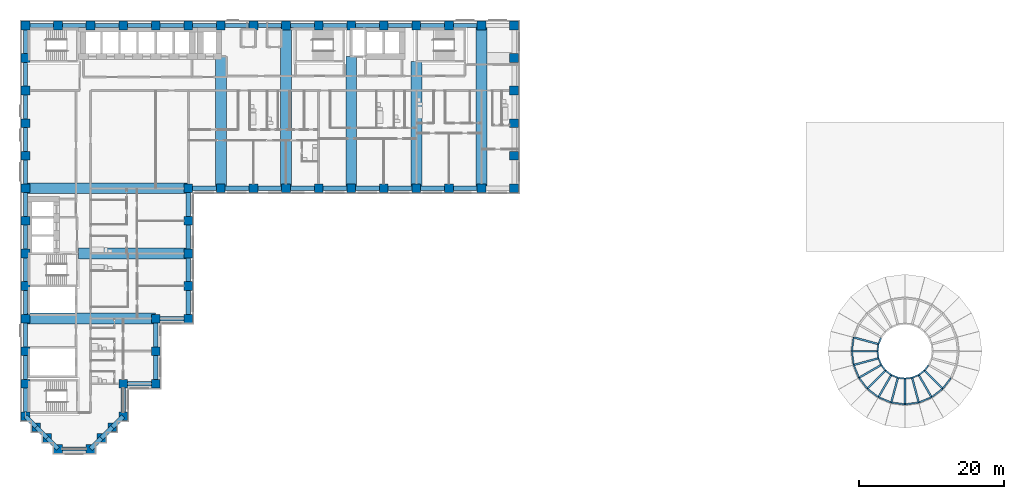
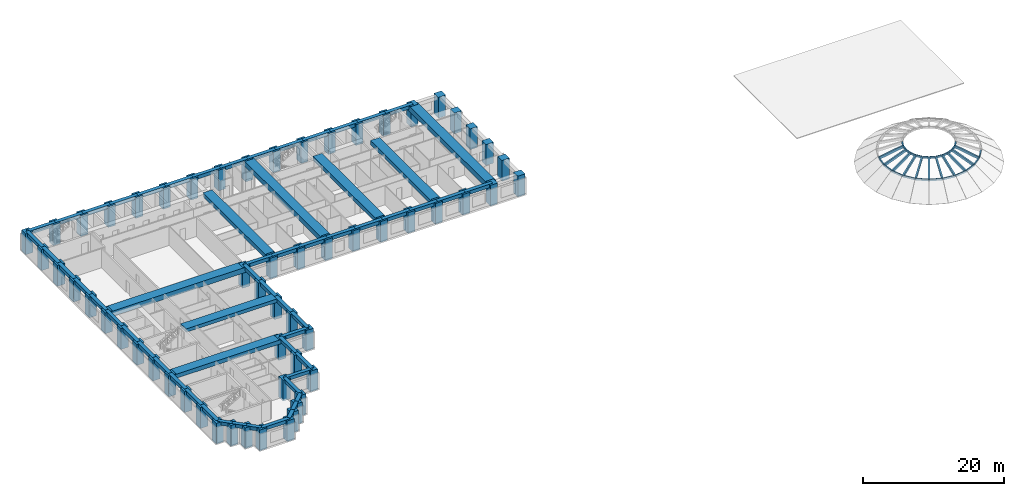
# One storey, part 1 of 14: 93 beams, 58 columns.
"""IFC4 building model written with IfcOpenShell, lengths in metres."""

from ifc_helpers import new_model, si_unit, direction, frame, origin, origin_2d, place, context, subcontext, project, spatial, rectangle, hollow_rectangle, extrude, material, material_profile, profile_set, type_object, element, save


model = new_model("IFC4")

# Units and contexts
model_context = context("Model", 3, precision=1e-05, world=origin(), true_north=direction((0.0, 1.0)))
body_context = subcontext(model_context, "Body", "Model", "MODEL_VIEW")
ifc_project = project(units=[si_unit("LENGTHUNIT", "METRE"), si_unit("AREAUNIT", "SQUARE_METRE"), si_unit("VOLUMEUNIT", "CUBIC_METRE"), si_unit("PLANEANGLEUNIT", "RADIAN"), si_unit("MASSUNIT", "GRAM", prefix="KILO")], contexts=[model_context])

# Site, building, storey
site_placement = place(None, origin())
site = spatial("IfcSite", under=ifc_project, at=site_placement, CompositionType="ELEMENT")
building_placement = place(site_placement, origin())
building = spatial("IfcBuilding", under=site, at=building_placement, Name="Firuza Court", CompositionType="ELEMENT")
storey_placement = place(building_placement, frame((0.0, 0.0, 32.60009765625)))
storey = spatial("IfcBuildingStorey", under=building, at=storey_placement, Name="L06", CompositionType="ELEMENT", Elevation=32.60009765625)

# Columns
ifc_material_1 = material(Name="Concrete C70/85", Category="concrete")
ifc_material_profile_1 = material_profile(ifc_material_1, rectangle(XDim=1.199951171875, YDim=1.199951171875, at=origin_2d()), Name="RC 1200x1200")
ifc_profile_set_1 = profile_set([ifc_material_profile_1], Name="Concrete C70/85")
column_type = type_object("IfcColumnType", Name="Tube column RC 1200x1200 C70/85", PredefinedType="COLUMN", material=ifc_profile_set_1)
for number, where, z_axis, x_axis, name in (
    (1, (4.5, 0.0, -0.300048828125), (0.0, 0.0, 1.0), (1.0, 0.0, 0.0), "Column C-2D L06"),
    (2, (9.0, 0.0, -0.300048828125), (0.0, 0.0, 1.0), (1.0, 0.0, 0.0), "Column C-3D L06"),
    (3, (3.0, 1.5, -0.300048828125), (0.0, 0.0, 1.0), (1.0, 0.0, 0.0), "Column C-SA1 L06"),
    (4, (10.5, 1.5, -0.300048828125), (0.0, 0.0, 1.0), (1.0, 0.0, 0.0), "Column C-SA2 L06"),
    (5, (1.5, 3.0, -0.300048828125), (0.0, 0.0, 1.0), (1.0, 0.0, 0.0), "Column C-SA3 L06"),
    (6, (12.0, 3.0, -0.300048828125), (0.0, 0.0, 1.0), (1.0, 0.0, 0.0), "Column C-SA4 L06"),
    (7, (0.0, 4.5, -0.300048828125), (0.0, 0.0, 1.0), (1.0, 0.0, 0.0), "Column C-1E L06"),
    (8, (13.5, 4.5, -0.300048828125), (0.0, 0.0, 1.0), (1.0, 0.0, 0.0), "Column C-4E L06"),
    (9, (0.0, 9.0, -0.300048828125), (0.0, 0.0, 1.0), (1.0, 0.0, 0.0), "Column C-1F L06"),
    (10, (13.5, 9.0, -0.300048828125), (0.0, 0.0, 1.0), (1.0, 0.0, 0.0), "Column C-4F L06"),
    (11, (18.0, 9.0, -0.300048828125), (0.0, 0.0, 1.0), (1.0, 0.0, 0.0), "Column C-5F L06"),
    (12, (0.0, 13.5, -0.300048828125), (0.0, 0.0, 1.0), (1.0, 0.0, 0.0), "Column C-1G L06"),
    (13, (18.0, 13.5, -0.300048828125), (0.0, 0.0, 1.0), (1.0, 0.0, 0.0), "Column C-5G L06"),
    (14, (0.0, 18.0, -0.300048828125), (0.0, 0.0, 1.0), (1.0, 0.0, 0.0), "Column C-1H L06"),
    (15, (18.0, 18.0, -0.300048828125), (0.0, 0.0, 1.0), (1.0, 0.0, 0.0), "Column C-5H L06"),
    (16, (22.5, 18.0, -0.300048828125), (0.0, 0.0, 1.0), (1.0, 0.0, 0.0), "Column C-6H L06"),
    (17, (0.0, 22.5, -0.300048828125), (0.0, 0.0, 1.0), (1.0, 0.0, 0.0), "Column C-1J L06"),
    (18, (22.5, 22.5, -0.300048828125), (0.0, 0.0, 1.0), (1.0, 0.0, 0.0), "Column C-6J L06"),
    (19, (0.0, 27.0, -0.300048828125), (0.0, 0.0, 1.0), (1.0, 0.0, 0.0), "Column C-1K L06"),
    (20, (22.5, 27.0, -0.300048828125), (0.0, 0.0, 1.0), (1.0, 0.0, 0.0), "Column C-6K L06"),
    (21, (0.0, 31.5, -0.300048828125), (0.0, 0.0, 1.0), (1.0, 0.0, 0.0), "Column C-1L L06"),
    (22, (22.5, 31.5, -0.300048828125), (0.0, 0.0, 1.0), (1.0, 0.0, 0.0), "Column C-6L L06"),
    (23, (0.0, 36.0, -0.300048828125), (0.0, 0.0, 1.0), (1.0, 0.0, 0.0), "Column C-1M L06"),
    (24, (22.5, 36.0, -0.300048828125), (0.0, 0.0, 1.0), (1.0, 0.0, 0.0), "Column C-6M L06"),
    (25, (27.0, 36.0, -0.300048828125), (0.0, 0.0, 1.0), (1.0, 0.0, 0.0), "Column C-7M L06"),
    (26, (31.5, 36.0, -0.300048828125), (0.0, 0.0, 1.0), (1.0, 0.0, 0.0), "Column C-8M L06"),
    (27, (36.0, 36.0, -0.300048828125), (0.0, 0.0, 1.0), (1.0, 0.0, 0.0), "Column C-9M L06"),
    (28, (40.5, 36.0, -0.300048828125), (0.0, 0.0, 1.0), (1.0, 0.0, 0.0), "Column C-10M L06"),
    (29, (45.0, 36.0, -0.300048828125), (0.0, 0.0, 1.0), (1.0, 0.0, 0.0), "Column C-11M L06"),
    (30, (49.5, 36.0, -0.300048828125), (0.0, 0.0, 1.0), (1.0, 0.0, 0.0), "Column C-12M L06"),
    (31, (54.0, 36.0, -0.300048828125), (0.0, 0.0, 1.0), (1.0, 0.0, 0.0), "Column C-13M L06"),
    (32, (58.5, 36.0, -0.300048828125), (0.0, 0.0, 1.0), (1.0, 0.0, 0.0), "Column C-14M L06"),
    (33, (63.0, 36.0, -0.300048828125), (0.0, 0.0, 1.0), (1.0, 0.0, 0.0), "Column C-15M L06"),
    (34, (67.5, 36.0, -0.300048828125), (0.0, 0.0, 1.0), (1.0, 0.0, 0.0), "Column C-16M L06"),
    (35, (0.0, 40.5, -0.300048828125), (0.0, 0.0, 1.0), (1.0, 0.0, 0.0), "Column C-1N L06"),
    (36, (67.5, 40.5, -0.300048828125), (0.0, 0.0, 1.0), (1.0, 0.0, 0.0), "Column C-16N L06"),
    (37, (0.0, 45.0, -0.300048828125), (0.0, 0.0, 1.0), (1.0, 0.0, 0.0), "Column C-1P L06"),
    (38, (67.5, 45.0, -0.300048828125), (0.0, 0.0, 1.0), (1.0, 0.0, 0.0), "Column C-16P L06"),
    (39, (0.0, 49.5, -0.300048828125), (0.0, 0.0, 1.0), (1.0, 0.0, 0.0), "Column C-1Q L06"),
    (40, (67.5, 49.5, -0.300048828125), (0.0, 0.0, 1.0), (1.0, 0.0, 0.0), "Column C-16Q L06"),
    (41, (0.0, 54.0, -0.300048828125), (0.0, 0.0, 1.0), (1.0, 0.0, 0.0), "Column C-1R L06"),
    (42, (67.5, 54.0, -0.300048828125), (0.0, 0.0, 1.0), (1.0, 0.0, 0.0), "Column C-16R L06"),
    (43, (0.0, 58.5, -0.300048828125), (0.0, 0.0, 1.0), (1.0, 0.0, 0.0), "Column C-1S L06"),
    (44, (4.5, 58.5, -0.300048828125), (0.0, 0.0, 1.0), (1.0, 0.0, 0.0), "Column C-2S L06"),
    (45, (9.0, 58.5, -0.300048828125), (0.0, 0.0, 1.0), (1.0, 0.0, 0.0), "Column C-3S L06"),
    (46, (13.5, 58.5, -0.300048828125), (0.0, 0.0, 1.0), (1.0, 0.0, 0.0), "Column C-4S L06"),
    (47, (18.0, 58.5, -0.300048828125), (0.0, 0.0, 1.0), (1.0, 0.0, 0.0), "Column C-5S L06"),
    (48, (22.5, 58.5, -0.300048828125), (0.0, 0.0, 1.0), (1.0, 0.0, 0.0), "Column C-6S L06"),
    (49, (27.0, 58.5, -0.300048828125), (0.0, 0.0, 1.0), (1.0, 0.0, 0.0), "Column C-7S L06"),
    (50, (31.5, 58.5, -0.300048828125), (0.0, 0.0, 1.0), (1.0, 0.0, 0.0), "Column C-8S L06"),
    (51, (36.0, 58.5, -0.300048828125), (0.0, 0.0, 1.0), (1.0, 0.0, 0.0), "Column C-9S L06"),
    (52, (40.5, 58.5, -0.300048828125), (0.0, 0.0, 1.0), (1.0, 0.0, 0.0), "Column C-10S L06"),
    (53, (45.0, 58.5, -0.300048828125), (0.0, 0.0, 1.0), (1.0, 0.0, 0.0), "Column C-11S L06"),
    (54, (49.5, 58.5, -0.300048828125), (0.0, 0.0, 1.0), (1.0, 0.0, 0.0), "Column C-12S L06"),
    (55, (54.0, 58.5, -0.300048828125), (0.0, 0.0, 1.0), (1.0, 0.0, 0.0), "Column C-13S L06"),
    (56, (58.5, 58.5, -0.300048828125), (0.0, 0.0, 1.0), (1.0, 0.0, 0.0), "Column C-14S L06"),
    (57, (63.0, 58.5, -0.300048828125), (0.0, 0.0, 1.0), (1.0, 0.0, 0.0), "Column C-15S L06"),
    (58, (67.5, 58.5, -0.300048828125), (0.0, 0.0, 1.0), (1.0, 0.0, 0.0), "Column C-16S L06"),
):
    element("IfcColumn", number, at=place(storey_placement, frame(where, z_axis=z_axis, x_axis=x_axis)), inside=storey, type_object=column_type, Name=name, PredefinedType="COLUMN", context=body_context, shape_type="SweptSolid", body=[
        extrude(rectangle(XDim=1.199951171875, YDim=1.199951171875, at=origin_2d()), origin(), (0.0, 0.0, 1.0), 3.599853515625),
    ])

# Beams
ifc_material_2 = material(Name="Concrete C40/50", Category="concrete")
ifc_material_profile_2 = material_profile(ifc_material_2, rectangle(XDim=1.5, YDim=0.60009765625, at=origin_2d()), Name="RC 1500x600")
ifc_profile_set_2 = profile_set([ifc_material_profile_2], Name="Concrete C40/50")
beam_type_1 = type_object("IfcBeamType", Name="Band beam RC 1500x600 C40/50", PredefinedType="BEAM", material=ifc_profile_set_2)
beam_1_placement = place(storey_placement, frame((22.5, 27.0, 3.0), z_axis=(-1.0, 0.0, 0.0), x_axis=(0.0, -1.0, 0.0)))
element("IfcBeam", 59, at=beam_1_placement, inside=storey, type_object=beam_type_1, Name="Band beam FB3 level L07", PredefinedType="BEAM", context=body_context, shape_type="SweptSolid", body=[
    extrude(rectangle(XDim=1.5, YDim=0.60009765625, at=origin_2d()), origin(), (0.0, 0.0, 1.0), 15.14990234375),
])
ifc_material_3 = material(Name="Concrete C40/50", Category="concrete")
ifc_material_profile_3 = material_profile(ifc_material_3, rectangle(XDim=1.5, YDim=0.699951171875, at=origin_2d()), Name="RC 1500x700")
ifc_profile_set_3 = profile_set([ifc_material_profile_3], Name="Concrete C40/50")
beam_type_2 = type_object("IfcBeamType", Name="Band beam RC 1500x700 C40/50", PredefinedType="BEAM", material=ifc_profile_set_3)
beam_2_placement = place(storey_placement, frame((0.0, 18.0, 2.949951171875), z_axis=(1.0, 0.0, 0.0), x_axis=(0.0, 1.0, 0.0)))
element("IfcBeam", 60, at=beam_2_placement, inside=storey, type_object=beam_type_2, Name="Band beam FB1 level L07", PredefinedType="BEAM", context=body_context, shape_type="SweptSolid", body=[
    extrude(rectangle(XDim=1.5, YDim=0.699951171875, at=origin_2d()), origin(), (0.0, 0.0, 1.0), 18.0),
])
for number, where, z_axis, x_axis, name in (
    (61, (27.0, 36.0, 2.949951171875), (0.0, 1.0, 0.0), (-1.0, 0.0, 0.0), "Band beam FB1 level L07"),
    (62, (45.0, 36.0, 2.949951171875), (0.0, 1.0, 0.0), (-1.0, 0.0, 0.0), "Band beam FB1 level L07"),
):
    element("IfcBeam", number, at=place(storey_placement, frame(where, z_axis=z_axis, x_axis=x_axis)), inside=storey, type_object=beam_type_2, Name=name, PredefinedType="BEAM", context=body_context, shape_type="SweptSolid", body=[
        extrude(rectangle(XDim=1.5, YDim=0.699951171875, at=origin_2d()), origin(), (0.0, 0.0, 1.0), 18.199951171875),
    ])
beam_3_placement = place(storey_placement, frame((54.0, 36.0, 2.949951171875), z_axis=(0.0, 1.0, 0.0), x_axis=(-1.0, 0.0, 0.0)))
element("IfcBeam", 63, at=beam_3_placement, inside=storey, type_object=beam_type_2, Name="Band beam FB1 level L07", PredefinedType="BEAM", context=body_context, shape_type="SweptSolid", body=[
    extrude(rectangle(XDim=1.5, YDim=0.699951171875, at=origin_2d()), origin(), (0.0, 0.0, 1.0), 17.5),
])
ifc_material_4 = material(Name="Concrete C40/50", Category="concrete")
ifc_material_profile_4 = material_profile(ifc_material_4, rectangle(XDim=1.5, YDim=0.89990234375, at=origin_2d()), Name="RC 1500x900")
ifc_profile_set_4 = profile_set([ifc_material_profile_4], Name="Concrete C40/50")
beam_type_3 = type_object("IfcBeamType", Name="Band beam RC 1500x900 C40/50", PredefinedType="BEAM", material=ifc_profile_set_4)
for number, where, z_axis, x_axis, name in (
    (64, (0.0, 36.0, 2.849853515625), (1.0, 0.0, 0.0), (0.0, 1.0, 0.0), "Band beam FB2 level L07"),
    (65, (36.0, 36.0, 2.849853515625), (0.0, 1.0, 0.0), (-1.0, 0.0, 0.0), "Band beam FB2 level L07"),
    (66, (63.0, 36.0, 2.849853515625), (0.0, 1.0, 0.0), (-1.0, 0.0, 0.0), "Band beam FB2 level L07"),
):
    element("IfcBeam", number, at=place(storey_placement, frame(where, z_axis=z_axis, x_axis=x_axis)), inside=storey, type_object=beam_type_3, Name=name, PredefinedType="BEAM", context=body_context, shape_type="SweptSolid", body=[
        extrude(rectangle(XDim=1.5, YDim=0.89990234375, at=origin_2d()), origin(), (0.0, 0.0, 1.0), 22.5),
    ])
ifc_material_5 = material(Name="Steel S355", Category="steel")
ifc_material_profile_5 = material_profile(ifc_material_5, hollow_rectangle(XDim=0.25, YDim=0.39990234375, WallThickness=0.01611328125, at=origin_2d()), Name="RHS 400X250X16")
ifc_profile_set_5 = profile_set([ifc_material_profile_5], Name="Steel S355")
beam_type_4 = type_object("IfcBeamType", Name="DOME RIB 250X400", PredefinedType="BEAM", material=ifc_profile_set_5)
beam_4_placement = place(storey_placement, frame((114.41845703125, 15.3974609375, 1.9697265625), z_axis=(0.899620997816, -0.24103198911, 0.364123111754), x_axis=(0.258798277302, 0.965931390765, 0.0)))
element("IfcBeam", 67, at=beam_4_placement, inside=storey, type_object=beam_type_4, Name="RIB 12.3", PredefinedType="BEAM", context=body_context, shape_type="SweptSolid", body=[
    extrude(hollow_rectangle(XDim=0.25, YDim=0.39990234375, WallThickness=0.01611328125, at=origin_2d()), origin(), (0.0, 0.0, 1.0), 3.792236328125),
])
beam_5_placement = place(storey_placement, frame((114.16845703125, 13.5, 1.9697265625), z_axis=(0.93136050351, 0.0, 0.364098355533), x_axis=(0.0, 1.0, 0.0)))
element("IfcBeam", 68, at=beam_5_placement, inside=storey, type_object=beam_type_4, Name="RIB 13.3", PredefinedType="BEAM", context=body_context, shape_type="SweptSolid", body=[
    extrude(hollow_rectangle(XDim=0.25, YDim=0.39990234375, WallThickness=0.01611328125, at=origin_2d()), origin(), (0.0, 0.0, 1.0), 3.79248046875),
])
beam_6_placement = place(storey_placement, frame((114.41845703125, 11.6025390625, 1.9697265625), z_axis=(0.899620997816, 0.24103198911, 0.364123111754), x_axis=(-0.258798277302, 0.965931390765, 0.0)))
element("IfcBeam", 69, at=beam_6_placement, inside=storey, type_object=beam_type_4, Name="RIB 14.3", PredefinedType="BEAM", context=body_context, shape_type="SweptSolid", body=[
    extrude(hollow_rectangle(XDim=0.25, YDim=0.39990234375, WallThickness=0.01611328125, at=origin_2d()), origin(), (0.0, 0.0, 1.0), 3.792236328125),
])
for number, where, z_axis, x_axis, name in (
    (70, (115.15087890625, 9.834228515625, 1.9697265625), (0.806567109693, 0.465696102763, 0.364110748857), (-0.500019620354, 0.866014075672, 0.0), "RIB 15.3"),
    (71, (116.31591796875, 8.31591796875, 1.9697265625), (0.65856773557, 0.65856773557, 0.364111350184), (-0.707106781187, 0.707106781187, 0.0), "RIB 16.3"),
    (72, (117.834228515625, 7.15087890625, 1.9697265625), (0.465696102763, 0.806567109693, 0.364110748857), (-0.866014075672, 0.500019620354, 0.0), "RIB 17.3"),
):
    element("IfcBeam", number, at=place(storey_placement, frame(where, z_axis=z_axis, x_axis=x_axis)), inside=storey, type_object=beam_type_4, Name=name, PredefinedType="BEAM", context=body_context, shape_type="SweptSolid", body=[
        extrude(hollow_rectangle(XDim=0.25, YDim=0.39990234375, WallThickness=0.01611328125, at=origin_2d()), origin(), (0.0, 0.0, 1.0), 3.79248046875),
    ])
beam_7_placement = place(storey_placement, frame((119.6025390625, 6.41845703125, 1.9697265625), z_axis=(0.24103198911, 0.899620997816, 0.364123111754), x_axis=(-0.965931390765, 0.258798277302, 0.0)))
element("IfcBeam", 73, at=beam_7_placement, inside=storey, type_object=beam_type_4, Name="RIB 18.3", PredefinedType="BEAM", context=body_context, shape_type="SweptSolid", body=[
    extrude(hollow_rectangle(XDim=0.25, YDim=0.39990234375, WallThickness=0.01611328125, at=origin_2d()), origin(), (0.0, 0.0, 1.0), 3.792236328125),
])
beam_8_placement = place(storey_placement, frame((121.5, 6.16845703125, 1.9697265625), z_axis=(0.0, 0.93136050351, 0.364098355533), x_axis=(-1.0, 0.0, 0.0)))
element("IfcBeam", 74, at=beam_8_placement, inside=storey, type_object=beam_type_4, Name="RIB 19.3", PredefinedType="BEAM", context=body_context, shape_type="SweptSolid", body=[
    extrude(hollow_rectangle(XDim=0.25, YDim=0.39990234375, WallThickness=0.01611328125, at=origin_2d()), origin(), (0.0, 0.0, 1.0), 3.79248046875),
])
beam_9_placement = place(storey_placement, frame((123.3974609375, 6.41845703125, 1.9697265625), z_axis=(-0.24103198911, 0.899620997816, 0.364123111754), x_axis=(-0.965931390765, -0.258798277302, 0.0)))
element("IfcBeam", 75, at=beam_9_placement, inside=storey, type_object=beam_type_4, Name="RIB 20.3", PredefinedType="BEAM", context=body_context, shape_type="SweptSolid", body=[
    extrude(hollow_rectangle(XDim=0.25, YDim=0.39990234375, WallThickness=0.01611328125, at=origin_2d()), origin(), (0.0, 0.0, 1.0), 3.792236328125),
])
for number, where, z_axis, x_axis, name in (
    (76, (125.165771484375, 7.15087890625, 1.9697265625), (-0.465696102763, 0.806567109693, 0.364110748857), (-0.866014075672, -0.500019620354, 0.0), "RIB 21.3"),
    (77, (126.68408203125, 8.31591796875, 1.9697265625), (-0.65856773557, 0.65856773557, 0.364111350184), (-0.707106781187, -0.707106781187, 0.0), "RIB 22.3"),
):
    element("IfcBeam", number, at=place(storey_placement, frame(where, z_axis=z_axis, x_axis=x_axis)), inside=storey, type_object=beam_type_4, Name=name, PredefinedType="BEAM", context=body_context, shape_type="SweptSolid", body=[
        extrude(hollow_rectangle(XDim=0.25, YDim=0.39990234375, WallThickness=0.01611328125, at=origin_2d()), origin(), (0.0, 0.0, 1.0), 3.79248046875),
    ])
ifc_material_6 = material(Name="Steel S355", Category="steel")
ifc_material_profile_6 = material_profile(ifc_material_6, hollow_rectangle(XDim=0.199951171875, YDim=0.300048828125, WallThickness=0.010009765625, at=origin_2d()), Name="RHS 300X200X10")
ifc_profile_set_6 = profile_set([ifc_material_profile_6], Name="Steel S355")
beam_type_5 = type_object("IfcBeamType", Name="DOME RING MEMBER 200X300", PredefinedType="BEAM", material=ifc_profile_set_6)
for number, where, z_axis, x_axis, name in (
    (78, (114.40185546875, 15.36083984375, 1.96533203125), (-0.130509518677, -0.991447056345, 0.0), (0.991447056345, -0.130509518677, 0.0), "Dome ring member 2.12"),
    (79, (114.162109375, 13.46044921875, 1.96533203125), (0.130509518677, -0.991447056345, 0.0), (0.991447056345, 0.130509518677, 0.0), "Dome ring member 2.13"),
    (80, (114.422607421875, 11.5625, 1.96533203125), (0.382660915668, -0.923888858911, 0.0), (0.923888858911, 0.382660915668, 0.0), "Dome ring member 2.14"),
):
    element("IfcBeam", number, at=place(storey_placement, frame(where, z_axis=z_axis, x_axis=x_axis)), inside=storey, type_object=beam_type_5, Name=name, PredefinedType="BEAM", context=body_context, shape_type="SweptSolid", body=[
        extrude(hollow_rectangle(XDim=0.199951171875, YDim=0.300048828125, WallThickness=0.010009765625, at=origin_2d()), origin(), (0.0, 0.0, 1.0), 1.8369140625),
    ])
for number, where, z_axis, x_axis, name in (
    (81, (115.1650390625, 9.796875, 1.96533203125), (0.608766270335, -0.793349625387, 0.0), (0.793349625387, 0.608766270335, 0.0), "Dome ring member 2.15"),
    (82, (116.33935546875, 8.283447265625, 1.96533203125), (0.793349625387, -0.608766270335, 0.0), (0.608766270335, 0.793349625387, 0.0), "Dome ring member 2.16"),
):
    element("IfcBeam", number, at=place(storey_placement, frame(where, z_axis=z_axis, x_axis=x_axis)), inside=storey, type_object=beam_type_5, Name=name, PredefinedType="BEAM", context=body_context, shape_type="SweptSolid", body=[
        extrude(hollow_rectangle(XDim=0.199951171875, YDim=0.300048828125, WallThickness=0.010009765625, at=origin_2d()), origin(), (0.0, 0.0, 1.0), 1.837158203125),
    ])
for number, where, z_axis, x_axis, name in (
    (83, (117.865478515625, 7.12548828125, 1.96533203125), (0.923888858911, -0.382660915668, 0.0), (0.382660915668, 0.923888858911, 0.0), "Dome ring member 2.17"),
    (84, (119.63916015625, 6.40185546875, 1.96533203125), (0.991447056345, -0.130509518677, 0.0), (0.130509518677, 0.991447056345, 0.0), "Dome ring member 2.18"),
    (85, (121.53955078125, 6.162109375, 1.96533203125), (0.991447056345, 0.130509518677, 0.0), (-0.130509518677, 0.991447056345, 0.0), "Dome ring member 2.19"),
    (86, (123.4375, 6.422607421875, 1.96533203125), (0.923888858911, 0.382660915668, 0.0), (-0.382660915668, 0.923888858911, 0.0), "Dome ring member 2.20"),
):
    element("IfcBeam", number, at=place(storey_placement, frame(where, z_axis=z_axis, x_axis=x_axis)), inside=storey, type_object=beam_type_5, Name=name, PredefinedType="BEAM", context=body_context, shape_type="SweptSolid", body=[
        extrude(hollow_rectangle(XDim=0.199951171875, YDim=0.300048828125, WallThickness=0.010009765625, at=origin_2d()), origin(), (0.0, 0.0, 1.0), 1.8369140625),
    ])
for number, where, z_axis, x_axis, name in (
    (87, (125.203125, 7.1650390625, 1.96533203125), (0.793349625387, 0.608766270335, 0.0), (-0.608766270335, 0.793349625387, 0.0), "Dome ring member 2.21"),
    (88, (126.716552734375, 8.33935546875, 1.96533203125), (0.608766270335, 0.793349625387, 0.0), (-0.793349625387, 0.608766270335, 0.0), "Dome ring member 2.22"),
):
    element("IfcBeam", number, at=place(storey_placement, frame(where, z_axis=z_axis, x_axis=x_axis)), inside=storey, type_object=beam_type_5, Name=name, PredefinedType="BEAM", context=body_context, shape_type="SweptSolid", body=[
        extrude(hollow_rectangle(XDim=0.199951171875, YDim=0.300048828125, WallThickness=0.010009765625, at=origin_2d()), origin(), (0.0, 0.0, 1.0), 1.837158203125),
    ])
beam_10_placement = place(storey_placement, frame((118.204345703125, 15.35693359375, 3.35498046875), z_axis=(-0.382573256594, -0.923925161114, 0.0), x_axis=(0.923925161114, -0.382573256594, 0.0)))
element("IfcBeam", 89, at=beam_10_placement, inside=storey, type_object=beam_type_5, Name="Dome ring member 3.11", PredefinedType="BEAM", context=body_context, shape_type="SweptSolid", body=[
    extrude(hollow_rectangle(XDim=0.199951171875, YDim=0.300048828125, WallThickness=0.010009765625, at=origin_2d()), origin(), (0.0, 0.0, 1.0), 0.90869140625),
])
for number, where, z_axis, x_axis, name in (
    (90, (117.836181640625, 14.440673828125, 3.35498046875), (-0.13054484132, -0.991442405995, 0.0), (0.991442405995, -0.13054484132, 0.0), "Dome ring member 3.12"),
    (91, (117.717529296875, 13.46044921875, 3.35498046875), (0.13054484132, -0.991442405995, 0.0), (0.991442405995, 0.13054484132, 0.0), "Dome ring member 3.13"),
):
    element("IfcBeam", number, at=place(storey_placement, frame(where, z_axis=z_axis, x_axis=x_axis)), inside=storey, type_object=beam_type_5, Name=name, PredefinedType="BEAM", context=body_context, shape_type="SweptSolid", body=[
        extrude(hollow_rectangle(XDim=0.199951171875, YDim=0.300048828125, WallThickness=0.010009765625, at=origin_2d()), origin(), (0.0, 0.0, 1.0), 0.908935546875),
    ])
beam_11_placement = place(storey_placement, frame((117.856689453125, 12.482666015625, 3.35498046875), z_axis=(0.382573256594, -0.923925161114, 0.0), x_axis=(0.923925161114, 0.382573256594, 0.0)))
element("IfcBeam", 92, at=beam_11_placement, inside=storey, type_object=beam_type_5, Name="Dome ring member 3.14", PredefinedType="BEAM", context=body_context, shape_type="SweptSolid", body=[
    extrude(hollow_rectangle(XDim=0.199951171875, YDim=0.300048828125, WallThickness=0.010009765625, at=origin_2d()), origin(), (0.0, 0.0, 1.0), 0.90869140625),
])
for number, where, z_axis, x_axis, name in (
    (93, (118.244140625, 11.574462890625, 3.35498046875), (0.608645799361, -0.793442052654, 0.0), (0.793442052654, 0.608645799361, 0.0), "Dome ring member 3.15"),
    (94, (118.853271484375, 10.79736328125, 3.35498046875), (0.793442052654, -0.608645799361, 0.0), (0.608645799361, 0.793442052654, 0.0), "Dome ring member 3.16"),
):
    element("IfcBeam", number, at=place(storey_placement, frame(where, z_axis=z_axis, x_axis=x_axis)), inside=storey, type_object=beam_type_5, Name=name, PredefinedType="BEAM", context=body_context, shape_type="SweptSolid", body=[
        extrude(hollow_rectangle(XDim=0.199951171875, YDim=0.300048828125, WallThickness=0.010009765625, at=origin_2d()), origin(), (0.0, 0.0, 1.0), 0.908935546875),
    ])
beam_12_placement = place(storey_placement, frame((119.64306640625, 10.204345703125, 3.35498046875), z_axis=(0.923925161114, -0.382573256594, 0.0), x_axis=(0.382573256594, 0.923925161114, 0.0)))
element("IfcBeam", 95, at=beam_12_placement, inside=storey, type_object=beam_type_5, Name="Dome ring member 3.17", PredefinedType="BEAM", context=body_context, shape_type="SweptSolid", body=[
    extrude(hollow_rectangle(XDim=0.199951171875, YDim=0.300048828125, WallThickness=0.010009765625, at=origin_2d()), origin(), (0.0, 0.0, 1.0), 0.90869140625),
])
for number, where, z_axis, x_axis, name in (
    (96, (120.559326171875, 9.836181640625, 3.35498046875), (0.991442405995, -0.13054484132, 0.0), (0.13054484132, 0.991442405995, 0.0), "Dome ring member 3.18"),
    (97, (121.53955078125, 9.717529296875, 3.35498046875), (0.991442405995, 0.13054484132, 0.0), (-0.13054484132, 0.991442405995, 0.0), "Dome ring member 3.19"),
):
    element("IfcBeam", number, at=place(storey_placement, frame(where, z_axis=z_axis, x_axis=x_axis)), inside=storey, type_object=beam_type_5, Name=name, PredefinedType="BEAM", context=body_context, shape_type="SweptSolid", body=[
        extrude(hollow_rectangle(XDim=0.199951171875, YDim=0.300048828125, WallThickness=0.010009765625, at=origin_2d()), origin(), (0.0, 0.0, 1.0), 0.908935546875),
    ])
beam_13_placement = place(storey_placement, frame((122.517333984375, 9.856689453125, 3.35498046875), z_axis=(0.923925161114, 0.382573256594, 0.0), x_axis=(-0.382573256594, 0.923925161114, 0.0)))
element("IfcBeam", 98, at=beam_13_placement, inside=storey, type_object=beam_type_5, Name="Dome ring member 3.20", PredefinedType="BEAM", context=body_context, shape_type="SweptSolid", body=[
    extrude(hollow_rectangle(XDim=0.199951171875, YDim=0.300048828125, WallThickness=0.010009765625, at=origin_2d()), origin(), (0.0, 0.0, 1.0), 0.90869140625),
])
for number, where, z_axis, x_axis, name in (
    (99, (123.425537109375, 10.244140625, 3.35498046875), (0.793442052654, 0.608645799361, 0.0), (-0.608645799361, 0.793442052654, 0.0), "Dome ring member 3.21"),
    (100, (124.20263671875, 10.853271484375, 3.35498046875), (0.608645799361, 0.793442052654, 0.0), (-0.793442052654, 0.608645799361, 0.0), "Dome ring member 3.22"),
):
    element("IfcBeam", number, at=place(storey_placement, frame(where, z_axis=z_axis, x_axis=x_axis)), inside=storey, type_object=beam_type_5, Name=name, PredefinedType="BEAM", context=body_context, shape_type="SweptSolid", body=[
        extrude(hollow_rectangle(XDim=0.199951171875, YDim=0.300048828125, WallThickness=0.010009765625, at=origin_2d()), origin(), (0.0, 0.0, 1.0), 0.908935546875),
    ])
ifc_material_7 = material(Name="Concrete C40/50", Category="concrete")
ifc_material_profile_7 = material_profile(ifc_material_7, rectangle(XDim=0.60009765625, YDim=0.60009765625, at=origin_2d()), Name="RC 600x600")
ifc_profile_set_7 = profile_set([ifc_material_profile_7], Name="Concrete C40/50")
beam_type_6 = type_object("IfcBeamType", Name="Spandrel beam RC 600x600 C40/50", PredefinedType="BEAM", material=ifc_profile_set_7)
beam_14_placement = place(storey_placement, frame((0.0, 4.5, 3.0), z_axis=(0.707106781187, -0.707106781187, 0.0), x_axis=(0.707106781187, 0.707106781187, 0.0)))
element("IfcBeam", 101, at=beam_14_placement, inside=storey, type_object=beam_type_6, Name="Spandrel beam SP11 level L07", PredefinedType="BEAM", context=body_context, shape_type="SweptSolid", body=[
    extrude(rectangle(XDim=0.60009765625, YDim=0.60009765625, at=origin_2d()), origin(), (0.0, 0.0, 1.0), 2.121337890625),
])
for number, where, z_axis, x_axis, name in (
    (102, (0.0, 9.0, 3.0), (0.0, -1.0, 0.0), (1.0, 0.0, 0.0), "Spandrel beam SP11 level L07"),
    (103, (0.0, 13.5, 3.0), (0.0, -1.0, 0.0), (1.0, 0.0, 0.0), "Spandrel beam SP11 level L07"),
    (104, (0.0, 18.0, 3.0), (0.0, -1.0, 0.0), (1.0, 0.0, 0.0), "Spandrel beam SP11 level L07"),
    (105, (0.0, 22.5, 3.0), (0.0, -1.0, 0.0), (1.0, 0.0, 0.0), "Spandrel beam SP11 level L07"),
    (106, (0.0, 27.0, 3.0), (0.0, -1.0, 0.0), (1.0, 0.0, 0.0), "Spandrel beam SP11 level L07"),
    (107, (0.0, 31.5, 3.0), (0.0, -1.0, 0.0), (1.0, 0.0, 0.0), "Spandrel beam SP11 level L07"),
    (108, (0.0, 36.0, 3.0), (0.0, -1.0, 0.0), (1.0, 0.0, 0.0), "Spandrel beam SP11 level L07"),
    (109, (0.0, 40.5, 3.0), (0.0, -1.0, 0.0), (1.0, 0.0, 0.0), "Spandrel beam SP11 level L07"),
    (110, (0.0, 45.0, 3.0), (0.0, -1.0, 0.0), (1.0, 0.0, 0.0), "Spandrel beam SP11 level L07"),
    (111, (0.0, 49.5, 3.0), (0.0, -1.0, 0.0), (1.0, 0.0, 0.0), "Spandrel beam SP11 level L07"),
    (112, (0.0, 54.0, 3.0), (0.0, -1.0, 0.0), (1.0, 0.0, 0.0), "Spandrel beam SP11 level L07"),
    (113, (0.0, 58.5, 3.0), (0.0, -1.0, 0.0), (1.0, 0.0, 0.0), "Spandrel beam SP11 level L07"),
):
    element("IfcBeam", number, at=place(storey_placement, frame(where, z_axis=z_axis, x_axis=x_axis)), inside=storey, type_object=beam_type_6, Name=name, PredefinedType="BEAM", context=body_context, shape_type="SweptSolid", body=[
        extrude(rectangle(XDim=0.60009765625, YDim=0.60009765625, at=origin_2d()), origin(), (0.0, 0.0, 1.0), 4.5),
    ])
for number, where, z_axis, x_axis, name in (
    (114, (1.5, 3.0, 3.0), (0.707106781187, -0.707106781187, 0.0), (0.707106781187, 0.707106781187, 0.0), "Spandrel beam SP11 level L07"),
    (115, (3.0, 1.5, 3.0), (0.707106781187, -0.707106781187, 0.0), (0.707106781187, 0.707106781187, 0.0), "Spandrel beam SP11 level L07"),
):
    element("IfcBeam", number, at=place(storey_placement, frame(where, z_axis=z_axis, x_axis=x_axis)), inside=storey, type_object=beam_type_6, Name=name, PredefinedType="BEAM", context=body_context, shape_type="SweptSolid", body=[
        extrude(rectangle(XDim=0.60009765625, YDim=0.60009765625, at=origin_2d()), origin(), (0.0, 0.0, 1.0), 2.121337890625),
    ])
for number, where, z_axis, x_axis, name in (
    (116, (4.5, 0.0, 3.0), (1.0, 0.0, 0.0), (0.0, 1.0, 0.0), "Spandrel beam SP11 level L07"),
    (117, (4.5, 58.5, 3.0), (-1.0, 0.0, 0.0), (0.0, -1.0, 0.0), "Spandrel beam SP11 level L07"),
):
    element("IfcBeam", number, at=place(storey_placement, frame(where, z_axis=z_axis, x_axis=x_axis)), inside=storey, type_object=beam_type_6, Name=name, PredefinedType="BEAM", context=body_context, shape_type="SweptSolid", body=[
        extrude(rectangle(XDim=0.60009765625, YDim=0.60009765625, at=origin_2d()), origin(), (0.0, 0.0, 1.0), 4.5),
    ])
beam_15_placement = place(storey_placement, frame((9.0, 0.0, 3.0), z_axis=(0.707106781187, 0.707106781187, 0.0), x_axis=(-0.707106781187, 0.707106781187, 0.0)))
element("IfcBeam", 118, at=beam_15_placement, inside=storey, type_object=beam_type_6, Name="Spandrel beam SP11 level L07", PredefinedType="BEAM", context=body_context, shape_type="SweptSolid", body=[
    extrude(rectangle(XDim=0.60009765625, YDim=0.60009765625, at=origin_2d()), origin(), (0.0, 0.0, 1.0), 2.121337890625),
])
beam_16_placement = place(storey_placement, frame((9.0, 58.5, 3.0), z_axis=(-1.0, 0.0, 0.0), x_axis=(0.0, -1.0, 0.0)))
element("IfcBeam", 119, at=beam_16_placement, inside=storey, type_object=beam_type_6, Name="Spandrel beam SP11 level L07", PredefinedType="BEAM", context=body_context, shape_type="SweptSolid", body=[
    extrude(rectangle(XDim=0.60009765625, YDim=0.60009765625, at=origin_2d()), origin(), (0.0, 0.0, 1.0), 4.5),
])
for number, where, z_axis, x_axis, name in (
    (120, (10.5, 1.5, 3.0), (0.707106781187, 0.707106781187, 0.0), (-0.707106781187, 0.707106781187, 0.0), "Spandrel beam SP11 level L07"),
    (121, (12.0, 3.0, 3.0), (0.707106781187, 0.707106781187, 0.0), (-0.707106781187, 0.707106781187, 0.0), "Spandrel beam SP11 level L07"),
):
    element("IfcBeam", number, at=place(storey_placement, frame(where, z_axis=z_axis, x_axis=x_axis)), inside=storey, type_object=beam_type_6, Name=name, PredefinedType="BEAM", context=body_context, shape_type="SweptSolid", body=[
        extrude(rectangle(XDim=0.60009765625, YDim=0.60009765625, at=origin_2d()), origin(), (0.0, 0.0, 1.0), 2.121337890625),
    ])
for number, where, z_axis, x_axis, name in (
    (122, (13.5, 4.5, 3.0), (0.0, 1.0, 0.0), (-1.0, 0.0, 0.0), "Spandrel beam SP11 level L07"),
    (123, (13.5, 9.0, 3.0), (1.0, 0.0, 0.0), (0.0, 1.0, 0.0), "Spandrel beam SP11 level L07"),
    (124, (13.5, 58.5, 3.0), (-1.0, 0.0, 0.0), (0.0, -1.0, 0.0), "Spandrel beam SP11 level L07"),
    (125, (18.0, 9.0, 3.0), (0.0, 1.0, 0.0), (-1.0, 0.0, 0.0), "Spandrel beam SP11 level L07"),
    (126, (18.0, 13.5, 3.0), (0.0, 1.0, 0.0), (-1.0, 0.0, 0.0), "Spandrel beam SP11 level L07"),
    (127, (18.0, 18.0, 3.0), (1.0, 0.0, 0.0), (0.0, 1.0, 0.0), "Spandrel beam SP11 level L07"),
    (128, (18.0, 58.5, 3.0), (-1.0, 0.0, 0.0), (0.0, -1.0, 0.0), "Spandrel beam SP11 level L07"),
    (129, (22.5, 18.0, 3.0), (0.0, 1.0, 0.0), (-1.0, 0.0, 0.0), "Spandrel beam SP11 level L07"),
    (130, (22.5, 22.5, 3.0), (0.0, 1.0, 0.0), (-1.0, 0.0, 0.0), "Spandrel beam SP11 level L07"),
    (131, (22.5, 27.0, 3.0), (0.0, 1.0, 0.0), (-1.0, 0.0, 0.0), "Spandrel beam SP11 level L07"),
    (132, (22.5, 31.5, 3.0), (0.0, 1.0, 0.0), (-1.0, 0.0, 0.0), "Spandrel beam SP11 level L07"),
    (133, (22.5, 36.0, 3.0), (1.0, 0.0, 0.0), (0.0, 1.0, 0.0), "Spandrel beam SP11 level L07"),
    (134, (22.5, 58.5, 3.0), (-1.0, 0.0, 0.0), (0.0, -1.0, 0.0), "Spandrel beam SP11 level L07"),
    (135, (27.0, 36.0, 3.0), (1.0, 0.0, 0.0), (0.0, 1.0, 0.0), "Spandrel beam SP11 level L07"),
    (136, (27.0, 58.5, 3.0), (-1.0, 0.0, 0.0), (0.0, -1.0, 0.0), "Spandrel beam SP11 level L07"),
    (137, (31.5, 36.0, 3.0), (1.0, 0.0, 0.0), (0.0, 1.0, 0.0), "Spandrel beam SP11 level L07"),
    (138, (31.5, 58.5, 3.0), (-1.0, 0.0, 0.0), (0.0, -1.0, 0.0), "Spandrel beam SP11 level L07"),
    (139, (36.0, 36.0, 3.0), (1.0, 0.0, 0.0), (0.0, 1.0, 0.0), "Spandrel beam SP11 level L07"),
    (140, (36.0, 58.5, 3.0), (-1.0, 0.0, 0.0), (0.0, -1.0, 0.0), "Spandrel beam SP11 level L07"),
    (141, (40.5, 36.0, 3.0), (1.0, 0.0, 0.0), (0.0, 1.0, 0.0), "Spandrel beam SP11 level L07"),
    (142, (40.5, 58.5, 3.0), (-1.0, 0.0, 0.0), (0.0, -1.0, 0.0), "Spandrel beam SP11 level L07"),
    (143, (45.0, 36.0, 3.0), (1.0, 0.0, 0.0), (0.0, 1.0, 0.0), "Spandrel beam SP11 level L07"),
    (144, (45.0, 58.5, 3.0), (-1.0, 0.0, 0.0), (0.0, -1.0, 0.0), "Spandrel beam SP11 level L07"),
    (145, (49.5, 36.0, 3.0), (1.0, 0.0, 0.0), (0.0, 1.0, 0.0), "Spandrel beam SP11 level L07"),
    (146, (49.5, 58.5, 3.0), (-1.0, 0.0, 0.0), (0.0, -1.0, 0.0), "Spandrel beam SP11 level L07"),
    (147, (54.0, 36.0, 3.0), (1.0, 0.0, 0.0), (0.0, 1.0, 0.0), "Spandrel beam SP11 level L07"),
    (148, (54.0, 58.5, 3.0), (-1.0, 0.0, 0.0), (0.0, -1.0, 0.0), "Spandrel beam SP11 level L07"),
    (149, (58.5, 36.0, 3.0), (1.0, 0.0, 0.0), (0.0, 1.0, 0.0), "Spandrel beam SP11 level L07"),
    (150, (58.5, 58.5, 3.0), (-1.0, 0.0, 0.0), (0.0, -1.0, 0.0), "Spandrel beam SP11 level L07"),
    (151, (63.0, 58.5, 3.0), (-1.0, 0.0, 0.0), (0.0, -1.0, 0.0), "Spandrel beam SP11 level L07"),
):
    element("IfcBeam", number, at=place(storey_placement, frame(where, z_axis=z_axis, x_axis=x_axis)), inside=storey, type_object=beam_type_6, Name=name, PredefinedType="BEAM", context=body_context, shape_type="SweptSolid", body=[
        extrude(rectangle(XDim=0.60009765625, YDim=0.60009765625, at=origin_2d()), origin(), (0.0, 0.0, 1.0), 4.5),
    ])

save(model, "model.ifc")
